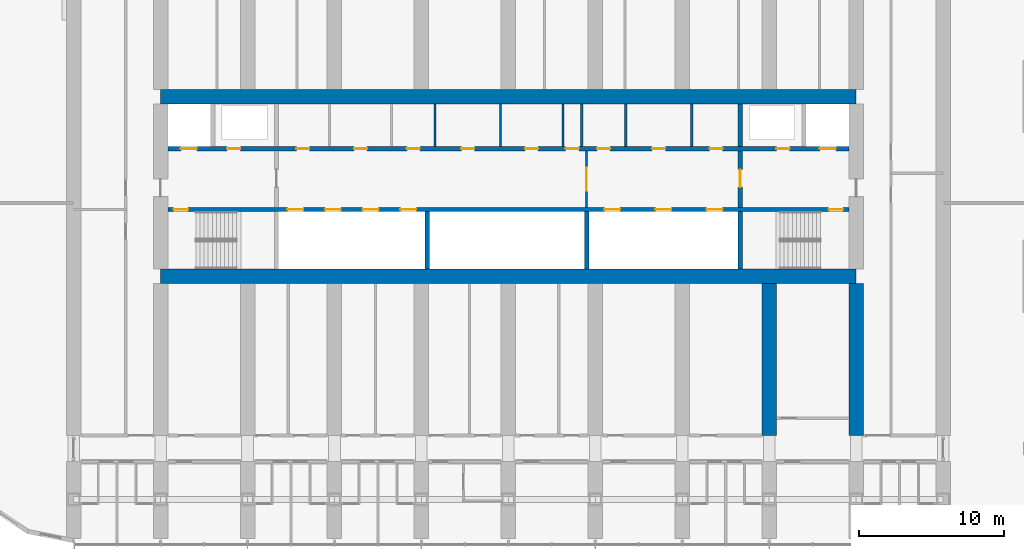
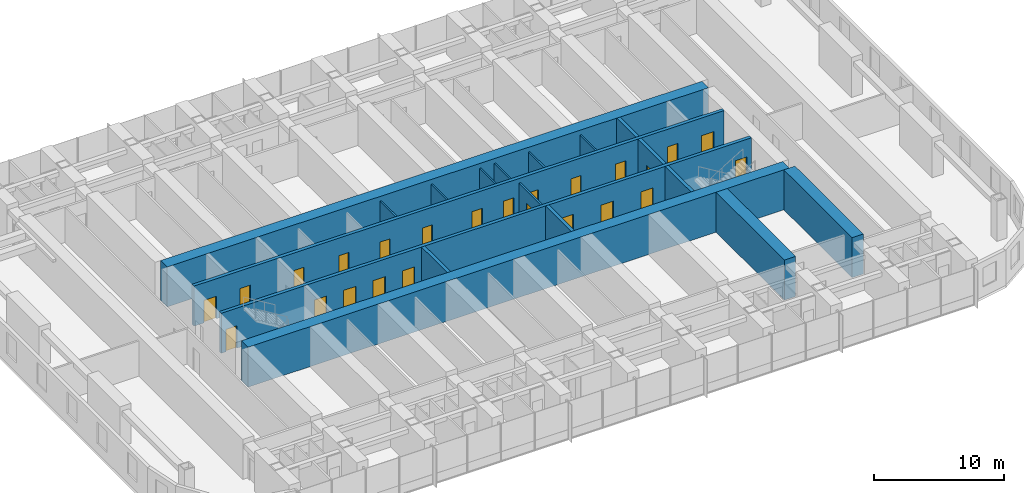
# One storey, part 13 of 23: 24 doors, 18 walls, 24 openings.
"""IFC4 building model written with IfcOpenShell, lengths in metres."""

from ifc_helpers import new_model, si_unit, direction, frame, frame_2d, origin, place, context, subcontext, project, spatial, rectangle, extrude, material, layer, layer_set, type_object, element, fill, save


model = new_model("IFC4")

# Units and contexts
model_context = context("Model", 3, precision=1e-05, world=origin(), true_north=direction((0.0, 1.0)))
body_context = subcontext(model_context, "Body", "Model", "MODEL_VIEW")
ifc_project = project(units=[si_unit("LENGTHUNIT", "METRE"), si_unit("AREAUNIT", "SQUARE_METRE"), si_unit("VOLUMEUNIT", "CUBIC_METRE"), si_unit("PLANEANGLEUNIT", "RADIAN"), si_unit("MASSUNIT", "GRAM", prefix="KILO")], contexts=[model_context])

# Site, building, storey
site_placement = place(None, origin())
site = spatial("IfcSite", under=ifc_project, at=site_placement, CompositionType="ELEMENT")
building_placement = place(site_placement, origin())
building = spatial("IfcBuilding", under=site, at=building_placement, Name="Orbita Commons", CompositionType="ELEMENT")
storey_placement = place(building_placement, frame((0.0, 0.0, 50.199951171875)))
storey = spatial("IfcBuildingStorey", under=building, at=storey_placement, Name="L12", CompositionType="ELEMENT", Elevation=50.199951171875)

# Wall, openings, doors
ifc_material_1 = material(Name="Concrete C50/60", Category="concrete")
ifc_layer_1 = layer(ifc_material_1, 0.300048828125)
ifc_layer_set_1 = layer_set([ifc_layer_1], Name="Concrete C50/60")
wall_type_1 = type_object("IfcWallType", Name="Core inner wall 300 C50/60", PredefinedType="SHEAR", material=ifc_layer_set_1)
wall_1_placement = place(storey_placement, frame((18.5, 30.39990234375, 0.0), z_axis=(0.0, 0.0, 1.0), x_axis=(1.0, 0.0, 0.0)))
wall_1 = element("IfcWall", 1, at=wall_1_placement, inside=storey, type_object=wall_type_1, Name="Lobby wall south L12", PredefinedType="SHEAR", context=body_context, shape_type="SweptSolid", body=[
    extrude(rectangle(XDim=47.0, YDim=0.300048828125, at=frame_2d((23.5, 0.0))), origin(), (0.0, 0.0, 1.0), 3.75),
])
opening_1_placement = place(wall_1_placement, frame((0.39990234375, 0.0, 0.0)))
opening_1 = element("IfcOpeningElement", 2, at=opening_1_placement, cuts=wall_1, Name="Opening D02", PredefinedType="OPENING", context=body_context, shape_type="SweptSolid", body=[
    extrude(rectangle(XDim=1.0, YDim=2.10009765625, at=frame_2d((0.5, 1.050048828125))), frame((0.0, 0.159912109375, 0.0), z_axis=(0.0, -1.0, 0.0), x_axis=(1.0, 0.0, 0.0)), (0.0, 0.0, 1.0), 0.320068359375),
])
opening_2_placement = place(wall_1_placement, frame((45.60009765625, 0.0, 0.0)))
opening_2 = element("IfcOpeningElement", 3, at=opening_2_placement, cuts=wall_1, Name="Opening D02", PredefinedType="OPENING", context=body_context, shape_type="SweptSolid", body=[
    extrude(rectangle(XDim=1.0, YDim=2.10009765625, at=frame_2d((0.5, 1.050048828125))), frame((0.0, 0.159912109375, 0.0), z_axis=(0.0, -1.0, 0.0), x_axis=(1.0, 0.0, 0.0)), (0.0, 0.0, 1.0), 0.320068359375),
])
opening_3_placement = place(wall_1_placement, frame((8.25, 0.0, 0.0)))
opening_3 = element("IfcOpeningElement", 4, at=opening_3_placement, cuts=wall_1, Name="Opening LD02", PredefinedType="OPENING", context=body_context, shape_type="SweptSolid", body=[
    extrude(rectangle(XDim=1.10009765625, YDim=2.10009765625, at=frame_2d((0.550048828125, 1.050048828125))), frame((0.0, 0.159912109375, 0.0), z_axis=(0.0, -1.0, 0.0), x_axis=(1.0, 0.0, 0.0)), (0.0, 0.0, 1.0), 0.320068359375),
])
opening_4_placement = place(wall_1_placement, frame((10.85009765625, 0.0, 0.0)))
opening_4 = element("IfcOpeningElement", 5, at=opening_4_placement, cuts=wall_1, Name="Opening LD02", PredefinedType="OPENING", context=body_context, shape_type="SweptSolid", body=[
    extrude(rectangle(XDim=1.10009765625, YDim=2.10009765625, at=frame_2d((0.550048828125, 1.050048828125))), frame((0.0, 0.159912109375, 0.0), z_axis=(0.0, -1.0, 0.0), x_axis=(1.0, 0.0, 0.0)), (0.0, 0.0, 1.0), 0.320068359375),
])
opening_5_placement = place(wall_1_placement, frame((13.449951171875, 0.0, 0.0)))
opening_5 = element("IfcOpeningElement", 6, at=opening_5_placement, cuts=wall_1, Name="Opening LD02", PredefinedType="OPENING", context=body_context, shape_type="SweptSolid", body=[
    extrude(rectangle(XDim=1.10009765625, YDim=2.10009765625, at=frame_2d((0.550048828125, 1.050048828125))), frame((0.0, 0.159912109375, 0.0), z_axis=(0.0, -1.0, 0.0), x_axis=(1.0, 0.0, 0.0)), (0.0, 0.0, 1.0), 0.320068359375),
])
opening_6_placement = place(wall_1_placement, frame((16.050048828125, 0.0, 0.0)))
opening_6 = element("IfcOpeningElement", 7, at=opening_6_placement, cuts=wall_1, Name="Opening LD02", PredefinedType="OPENING", context=body_context, shape_type="SweptSolid", body=[
    extrude(rectangle(XDim=1.10009765625, YDim=2.10009765625, at=frame_2d((0.550048828125, 1.050048828125))), frame((0.0, 0.159912109375, 0.0), z_axis=(0.0, -1.0, 0.0), x_axis=(1.0, 0.0, 0.0)), (0.0, 0.0, 1.0), 0.320068359375),
])
opening_7_placement = place(wall_1_placement, frame((30.11669921875, 0.0, 0.0)))
opening_7 = element("IfcOpeningElement", 8, at=opening_7_placement, cuts=wall_1, Name="Opening LD02", PredefinedType="OPENING", context=body_context, shape_type="SweptSolid", body=[
    extrude(rectangle(XDim=1.10009765625, YDim=2.10009765625, at=frame_2d((0.550048828125, 1.050048828125))), frame((0.0, 0.159912109375, 0.0), z_axis=(0.0, -1.0, 0.0), x_axis=(1.0, 0.0, 0.0)), (0.0, 0.0, 1.0), 0.320068359375),
])
opening_8_placement = place(wall_1_placement, frame((33.64990234375, 0.0, 0.0)))
opening_8 = element("IfcOpeningElement", 9, at=opening_8_placement, cuts=wall_1, Name="Opening LD02", PredefinedType="OPENING", context=body_context, shape_type="SweptSolid", body=[
    extrude(rectangle(XDim=1.10009765625, YDim=2.10009765625, at=frame_2d((0.550048828125, 1.050048828125))), frame((0.0, 0.159912109375, 0.0), z_axis=(0.0, -1.0, 0.0), x_axis=(1.0, 0.0, 0.0)), (0.0, 0.0, 1.0), 0.320068359375),
])
opening_9_placement = place(wall_1_placement, frame((37.183349609375, 0.0, 0.0)))
opening_9 = element("IfcOpeningElement", 10, at=opening_9_placement, cuts=wall_1, Name="Opening LD02", PredefinedType="OPENING", context=body_context, shape_type="SweptSolid", body=[
    extrude(rectangle(XDim=1.10009765625, YDim=2.10009765625, at=frame_2d((0.550048828125, 1.050048828125))), frame((0.0, 0.159912109375, 0.0), z_axis=(0.0, -1.0, 0.0), x_axis=(1.0, 0.0, 0.0)), (0.0, 0.0, 1.0), 0.320068359375),
])
ifc_material_2 = material(Name="Steel-faced fire door leaf", Category="steel")
door_type_1 = type_object("IfcDoorType", Name="Fire door 90 min 1000x2100", OperationType="SINGLE_SWING_LEFT", PredefinedType="DOOR", material=ifc_material_2)
door_1_placement = place(opening_1_placement, origin())
door_1 = element("IfcDoor", 11, at=door_1_placement, inside=storey, type_object=door_type_1, Name="Stair S1 door", OperationType="SINGLE_SWING_LEFT", OverallHeight=2.10009765625, OverallWidth=1.0, PredefinedType="DOOR", context=body_context, shape_type="SweptSolid", body=[
    extrude(rectangle(XDim=1.0, YDim=2.10009765625, at=frame_2d((0.5, 1.050048828125))), frame((0.0, 0.02490234375, 0.0), z_axis=(0.0, -1.0, 0.0), x_axis=(1.0, 0.0, 0.0)), (0.0, 0.0, 1.0), 0.050048828125),
])
fill(opening_1, door_1)
door_2_placement = place(opening_2_placement, origin())
door_2 = element("IfcDoor", 12, at=door_2_placement, inside=storey, type_object=door_type_1, Name="Stair S2 door", OperationType="SINGLE_SWING_LEFT", OverallHeight=2.10009765625, OverallWidth=1.0, PredefinedType="DOOR", context=body_context, shape_type="SweptSolid", body=[
    extrude(rectangle(XDim=1.0, YDim=2.10009765625, at=frame_2d((0.5, 1.050048828125))), frame((0.0, 0.02490234375, 0.0), z_axis=(0.0, -1.0, 0.0), x_axis=(1.0, 0.0, 0.0)), (0.0, 0.0, 1.0), 0.050048828125),
])
fill(opening_2, door_2)
ifc_material_3 = material(Name="Steel-faced fire door leaf", Category="steel")
door_type_2 = type_object("IfcDoorType", Name="Lift landing door 1100x2100", OperationType="DOUBLE_DOOR_SLIDING", PredefinedType="DOOR", material=ifc_material_3)
door_3_placement = place(opening_3_placement, origin())
door_3 = element("IfcDoor", 13, at=door_3_placement, inside=storey, type_object=door_type_2, Name="Lift P11 landing door", OperationType="DOUBLE_DOOR_SLIDING", OverallHeight=2.10009765625, OverallWidth=1.10009765625, PredefinedType="DOOR", context=body_context, shape_type="SweptSolid", body=[
    extrude(rectangle(XDim=1.10009765625, YDim=2.10009765625, at=frame_2d((0.550048828125, 1.050048828125))), frame((0.0, 0.02490234375, 0.0), z_axis=(0.0, -1.0, 0.0), x_axis=(1.0, 0.0, 0.0)), (0.0, 0.0, 1.0), 0.050048828125),
])
fill(opening_3, door_3)
door_4_placement = place(opening_4_placement, origin())
door_4 = element("IfcDoor", 14, at=door_4_placement, inside=storey, type_object=door_type_2, Name="Lift P12 landing door", OperationType="DOUBLE_DOOR_SLIDING", OverallHeight=2.10009765625, OverallWidth=1.10009765625, PredefinedType="DOOR", context=body_context, shape_type="SweptSolid", body=[
    extrude(rectangle(XDim=1.10009765625, YDim=2.10009765625, at=frame_2d((0.550048828125, 1.050048828125))), frame((0.0, 0.02490234375, 0.0), z_axis=(0.0, -1.0, 0.0), x_axis=(1.0, 0.0, 0.0)), (0.0, 0.0, 1.0), 0.050048828125),
])
fill(opening_4, door_4)
door_5_placement = place(opening_5_placement, origin())
door_5 = element("IfcDoor", 15, at=door_5_placement, inside=storey, type_object=door_type_2, Name="Lift P13 landing door", OperationType="DOUBLE_DOOR_SLIDING", OverallHeight=2.10009765625, OverallWidth=1.10009765625, PredefinedType="DOOR", context=body_context, shape_type="SweptSolid", body=[
    extrude(rectangle(XDim=1.10009765625, YDim=2.10009765625, at=frame_2d((0.550048828125, 1.050048828125))), frame((0.0, 0.02490234375, 0.0), z_axis=(0.0, -1.0, 0.0), x_axis=(1.0, 0.0, 0.0)), (0.0, 0.0, 1.0), 0.050048828125),
])
fill(opening_5, door_5)
door_6_placement = place(opening_6_placement, origin())
door_6 = element("IfcDoor", 16, at=door_6_placement, inside=storey, type_object=door_type_2, Name="Lift P14 landing door", OperationType="DOUBLE_DOOR_SLIDING", OverallHeight=2.10009765625, OverallWidth=1.10009765625, PredefinedType="DOOR", context=body_context, shape_type="SweptSolid", body=[
    extrude(rectangle(XDim=1.10009765625, YDim=2.10009765625, at=frame_2d((0.550048828125, 1.050048828125))), frame((0.0, 0.02490234375, 0.0), z_axis=(0.0, -1.0, 0.0), x_axis=(1.0, 0.0, 0.0)), (0.0, 0.0, 1.0), 0.050048828125),
])
fill(opening_6, door_6)
door_7_placement = place(opening_7_placement, origin())
door_7 = element("IfcDoor", 17, at=door_7_placement, inside=storey, type_object=door_type_2, Name="Lift SV1 landing door", OperationType="DOUBLE_DOOR_SLIDING", OverallHeight=2.10009765625, OverallWidth=1.10009765625, PredefinedType="DOOR", context=body_context, shape_type="SweptSolid", body=[
    extrude(rectangle(XDim=1.10009765625, YDim=2.10009765625, at=frame_2d((0.550048828125, 1.050048828125))), frame((0.0, 0.02490234375, 0.0), z_axis=(0.0, -1.0, 0.0), x_axis=(1.0, 0.0, 0.0)), (0.0, 0.0, 1.0), 0.050048828125),
])
fill(opening_7, door_7)
door_8_placement = place(opening_8_placement, origin())
door_8 = element("IfcDoor", 18, at=door_8_placement, inside=storey, type_object=door_type_2, Name="Lift SV2 landing door", OperationType="DOUBLE_DOOR_SLIDING", OverallHeight=2.10009765625, OverallWidth=1.10009765625, PredefinedType="DOOR", context=body_context, shape_type="SweptSolid", body=[
    extrude(rectangle(XDim=1.10009765625, YDim=2.10009765625, at=frame_2d((0.550048828125, 1.050048828125))), frame((0.0, 0.02490234375, 0.0), z_axis=(0.0, -1.0, 0.0), x_axis=(1.0, 0.0, 0.0)), (0.0, 0.0, 1.0), 0.050048828125),
])
fill(opening_8, door_8)
door_9_placement = place(opening_9_placement, origin())
door_9 = element("IfcDoor", 19, at=door_9_placement, inside=storey, type_object=door_type_2, Name="Lift SV3 landing door", OperationType="DOUBLE_DOOR_SLIDING", OverallHeight=2.10009765625, OverallWidth=1.10009765625, PredefinedType="DOOR", context=body_context, shape_type="SweptSolid", body=[
    extrude(rectangle(XDim=1.10009765625, YDim=2.10009765625, at=frame_2d((0.550048828125, 1.050048828125))), frame((0.0, 0.02490234375, 0.0), z_axis=(0.0, -1.0, 0.0), x_axis=(1.0, 0.0, 0.0)), (0.0, 0.0, 1.0), 0.050048828125),
])
fill(opening_9, door_9)

wall_2_placement = place(storey_placement, frame((18.5, 34.60009765625, 0.0), z_axis=(0.0, 0.0, 1.0), x_axis=(1.0, 0.0, 0.0)))
wall_2 = element("IfcWall", 20, at=wall_2_placement, inside=storey, type_object=wall_type_1, Name="Lobby wall north L12", PredefinedType="SHEAR", context=body_context, shape_type="SweptSolid", body=[
    extrude(rectangle(XDim=47.0, YDim=0.300048828125, at=frame_2d((23.5, 0.0))), origin(), (0.0, 0.0, 1.0), 3.75),
])
opening_10_placement = place(wall_2_placement, frame((0.89990234375, 0.0, 0.0)))
opening_10 = element("IfcOpeningElement", 21, at=opening_10_placement, cuts=wall_2, Name="Opening LD01", PredefinedType="OPENING", context=body_context, shape_type="SweptSolid", body=[
    extrude(rectangle(XDim=1.10009765625, YDim=2.10009765625, at=frame_2d((0.550048828125, 1.050048828125))), frame((0.0, 0.159912109375, 0.0), z_axis=(0.0, -1.0, 0.0), x_axis=(1.0, 0.0, 0.0)), (0.0, 0.0, 1.0), 0.320068359375),
])
opening_11_placement = place(wall_2_placement, frame((45.0, 0.0, 0.0)))
opening_11 = element("IfcOpeningElement", 22, at=opening_11_placement, cuts=wall_2, Name="Opening LD01", PredefinedType="OPENING", context=body_context, shape_type="SweptSolid", body=[
    extrude(rectangle(XDim=1.10009765625, YDim=2.10009765625, at=frame_2d((0.550048828125, 1.050048828125))), frame((0.0, 0.159912109375, 0.0), z_axis=(0.0, -1.0, 0.0), x_axis=(1.0, 0.0, 0.0)), (0.0, 0.0, 1.0), 0.320068359375),
])
opening_12_placement = place(wall_2_placement, frame((4.10009765625, 0.0, 0.0)))
opening_12 = element("IfcOpeningElement", 23, at=opening_12_placement, cuts=wall_2, Name="Opening D03", PredefinedType="OPENING", context=body_context, shape_type="SweptSolid", body=[
    extrude(rectangle(XDim=0.89990234375, YDim=2.10009765625, at=frame_2d((0.449951171875, 1.050048828125))), frame((0.0, 0.159912109375, 0.0), z_axis=(0.0, -1.0, 0.0), x_axis=(1.0, 0.0, 0.0)), (0.0, 0.0, 1.0), 0.320068359375),
])
opening_13_placement = place(wall_2_placement, frame((42.0, 0.0, 0.0)))
opening_13 = element("IfcOpeningElement", 24, at=opening_13_placement, cuts=wall_2, Name="Opening D03", PredefinedType="OPENING", context=body_context, shape_type="SweptSolid", body=[
    extrude(rectangle(XDim=0.89990234375, YDim=2.10009765625, at=frame_2d((0.449951171875, 1.050048828125))), frame((0.0, 0.159912109375, 0.0), z_axis=(0.0, -1.0, 0.0), x_axis=(1.0, 0.0, 0.0)), (0.0, 0.0, 1.0), 0.320068359375),
])
opening_14_placement = place(wall_2_placement, frame((8.87548828125, 0.0, 0.0)))
opening_14 = element("IfcOpeningElement", 25, at=opening_14_placement, cuts=wall_2, Name="Opening D03", PredefinedType="OPENING", context=body_context, shape_type="SweptSolid", body=[
    extrude(rectangle(XDim=0.89990234375, YDim=2.10009765625, at=frame_2d((0.449951171875, 1.050048828125))), frame((0.0, 0.159912109375, 0.0), z_axis=(0.0, -1.0, 0.0), x_axis=(1.0, 0.0, 0.0)), (0.0, 0.0, 1.0), 0.320068359375),
])
opening_15_placement = place(wall_2_placement, frame((12.8486328125, 0.0, 0.0)))
opening_15 = element("IfcOpeningElement", 26, at=opening_15_placement, cuts=wall_2, Name="Opening D03", PredefinedType="OPENING", context=body_context, shape_type="SweptSolid", body=[
    extrude(rectangle(XDim=0.89990234375, YDim=2.10009765625, at=frame_2d((0.449951171875, 1.050048828125))), frame((0.0, 0.159912109375, 0.0), z_axis=(0.0, -1.0, 0.0), x_axis=(1.0, 0.0, 0.0)), (0.0, 0.0, 1.0), 0.320068359375),
])
opening_16_placement = place(wall_2_placement, frame((16.496337890625, 0.0, 0.0)))
opening_16 = element("IfcOpeningElement", 27, at=opening_16_placement, cuts=wall_2, Name="Opening D03", PredefinedType="OPENING", context=body_context, shape_type="SweptSolid", body=[
    extrude(rectangle(XDim=0.89990234375, YDim=2.10009765625, at=frame_2d((0.449951171875, 1.050048828125))), frame((0.0, 0.159912109375, 0.0), z_axis=(0.0, -1.0, 0.0), x_axis=(1.0, 0.0, 0.0)), (0.0, 0.0, 1.0), 0.320068359375),
])
opening_17_placement = place(wall_2_placement, frame((20.254638671875, 0.0, 0.0)))
opening_17 = element("IfcOpeningElement", 28, at=opening_17_placement, cuts=wall_2, Name="Opening D05", PredefinedType="OPENING", context=body_context, shape_type="SweptSolid", body=[
    extrude(rectangle(XDim=0.89990234375, YDim=2.10009765625, at=frame_2d((0.449951171875, 1.050048828125))), frame((0.0, 0.159912109375, 0.0), z_axis=(0.0, -1.0, 0.0), x_axis=(1.0, 0.0, 0.0)), (0.0, 0.0, 1.0), 0.320068359375),
])
opening_18_placement = place(wall_2_placement, frame((24.66064453125, 0.0, 0.0)))
opening_18 = element("IfcOpeningElement", 29, at=opening_18_placement, cuts=wall_2, Name="Opening D03", PredefinedType="OPENING", context=body_context, shape_type="SweptSolid", body=[
    extrude(rectangle(XDim=0.89990234375, YDim=2.10009765625, at=frame_2d((0.449951171875, 1.050048828125))), frame((0.0, 0.159912109375, 0.0), z_axis=(0.0, -1.0, 0.0), x_axis=(1.0, 0.0, 0.0)), (0.0, 0.0, 1.0), 0.320068359375),
])
opening_19_placement = place(wall_2_placement, frame((27.45849609375, 0.0, 0.0)))
opening_19 = element("IfcOpeningElement", 30, at=opening_19_placement, cuts=wall_2, Name="Opening D03", PredefinedType="OPENING", context=body_context, shape_type="SweptSolid", body=[
    extrude(rectangle(XDim=0.89990234375, YDim=2.10009765625, at=frame_2d((0.449951171875, 1.050048828125))), frame((0.0, 0.159912109375, 0.0), z_axis=(0.0, -1.0, 0.0), x_axis=(1.0, 0.0, 0.0)), (0.0, 0.0, 1.0), 0.320068359375),
])
opening_20_placement = place(wall_2_placement, frame((29.628173828125, 0.0, 0.0)))
opening_20 = element("IfcOpeningElement", 31, at=opening_20_placement, cuts=wall_2, Name="Opening D05", PredefinedType="OPENING", context=body_context, shape_type="SweptSolid", body=[
    extrude(rectangle(XDim=0.89990234375, YDim=2.10009765625, at=frame_2d((0.449951171875, 1.050048828125))), frame((0.0, 0.159912109375, 0.0), z_axis=(0.0, -1.0, 0.0), x_axis=(1.0, 0.0, 0.0)), (0.0, 0.0, 1.0), 0.320068359375),
])
opening_21_placement = place(wall_2_placement, frame((33.42724609375, 0.0, 0.0)))
opening_21 = element("IfcOpeningElement", 32, at=opening_21_placement, cuts=wall_2, Name="Opening D05", PredefinedType="OPENING", context=body_context, shape_type="SweptSolid", body=[
    extrude(rectangle(XDim=0.89990234375, YDim=2.10009765625, at=frame_2d((0.449951171875, 1.050048828125))), frame((0.0, 0.159912109375, 0.0), z_axis=(0.0, -1.0, 0.0), x_axis=(1.0, 0.0, 0.0)), (0.0, 0.0, 1.0), 0.320068359375),
])
opening_22_placement = place(wall_2_placement, frame((37.37841796875, 0.0, 0.0)))
opening_22 = element("IfcOpeningElement", 33, at=opening_22_placement, cuts=wall_2, Name="Opening D03", PredefinedType="OPENING", context=body_context, shape_type="SweptSolid", body=[
    extrude(rectangle(XDim=0.89990234375, YDim=2.10009765625, at=frame_2d((0.449951171875, 1.050048828125))), frame((0.0, 0.159912109375, 0.0), z_axis=(0.0, -1.0, 0.0), x_axis=(1.0, 0.0, 0.0)), (0.0, 0.0, 1.0), 0.320068359375),
])
ifc_material_4 = material(Name="Steel-faced fire door leaf", Category="steel")
door_type_3 = type_object("IfcDoorType", Name="Firefighting lift landing door 1100x2100", OperationType="DOUBLE_DOOR_SLIDING", PredefinedType="DOOR", material=ifc_material_4)
door_10_placement = place(opening_10_placement, origin())
door_10 = element("IfcDoor", 34, at=door_10_placement, inside=storey, type_object=door_type_3, Name="Firefighting lift FL1 landing door", OperationType="DOUBLE_DOOR_SLIDING", OverallHeight=2.10009765625, OverallWidth=1.10009765625, PredefinedType="DOOR", context=body_context, shape_type="SweptSolid", body=[
    extrude(rectangle(XDim=1.10009765625, YDim=2.10009765625, at=frame_2d((0.550048828125, 1.050048828125))), frame((0.0, 0.02490234375, 0.0), z_axis=(0.0, -1.0, 0.0), x_axis=(1.0, 0.0, 0.0)), (0.0, 0.0, 1.0), 0.050048828125),
])
fill(opening_10, door_10)
door_11_placement = place(opening_11_placement, origin())
door_11 = element("IfcDoor", 35, at=door_11_placement, inside=storey, type_object=door_type_3, Name="Firefighting lift FL2 landing door", OperationType="DOUBLE_DOOR_SLIDING", OverallHeight=2.10009765625, OverallWidth=1.10009765625, PredefinedType="DOOR", context=body_context, shape_type="SweptSolid", body=[
    extrude(rectangle(XDim=1.10009765625, YDim=2.10009765625, at=frame_2d((0.550048828125, 1.050048828125))), frame((0.0, 0.02490234375, 0.0), z_axis=(0.0, -1.0, 0.0), x_axis=(1.0, 0.0, 0.0)), (0.0, 0.0, 1.0), 0.050048828125),
])
fill(opening_11, door_11)
ifc_material_5 = material(Name="Steel-faced fire door leaf", Category="steel")
door_type_4 = type_object("IfcDoorType", Name="Service door 20 min 900x2100", OperationType="SINGLE_SWING_LEFT", PredefinedType="DOOR", material=ifc_material_5)
door_12_placement = place(opening_17_placement, origin())
door_12 = element("IfcDoor", 36, at=door_12_placement, inside=storey, type_object=door_type_4, Name="Accessible WC door", OperationType="SINGLE_SWING_LEFT", OverallHeight=2.10009765625, OverallWidth=0.89990234375, PredefinedType="DOOR", context=body_context, shape_type="SweptSolid", body=[
    extrude(rectangle(XDim=0.89990234375, YDim=2.10009765625, at=frame_2d((0.449951171875, 1.050048828125))), frame((0.0, 0.02490234375, 0.0), z_axis=(0.0, -1.0, 0.0), x_axis=(1.0, 0.0, 0.0)), (0.0, 0.0, 1.0), 0.050048828125),
])
fill(opening_17, door_12)
door_13_placement = place(opening_20_placement, origin())
door_13 = element("IfcDoor", 37, at=door_13_placement, inside=storey, type_object=door_type_4, Name="Staff WC door", OperationType="SINGLE_SWING_LEFT", OverallHeight=2.10009765625, OverallWidth=0.89990234375, PredefinedType="DOOR", context=body_context, shape_type="SweptSolid", body=[
    extrude(rectangle(XDim=0.89990234375, YDim=2.10009765625, at=frame_2d((0.449951171875, 1.050048828125))), frame((0.0, 0.02490234375, 0.0), z_axis=(0.0, -1.0, 0.0), x_axis=(1.0, 0.0, 0.0)), (0.0, 0.0, 1.0), 0.050048828125),
])
fill(opening_20, door_13)
door_14_placement = place(opening_21_placement, origin())
door_14 = element("IfcDoor", 38, at=door_14_placement, inside=storey, type_object=door_type_4, Name="Vending and ice room door", OperationType="SINGLE_SWING_LEFT", OverallHeight=2.10009765625, OverallWidth=0.89990234375, PredefinedType="DOOR", context=body_context, shape_type="SweptSolid", body=[
    extrude(rectangle(XDim=0.89990234375, YDim=2.10009765625, at=frame_2d((0.449951171875, 1.050048828125))), frame((0.0, 0.02490234375, 0.0), z_axis=(0.0, -1.0, 0.0), x_axis=(1.0, 0.0, 0.0)), (0.0, 0.0, 1.0), 0.050048828125),
])
fill(opening_21, door_14)
ifc_material_6 = material(Name="Steel-faced fire door leaf", Category="steel")
door_type_5 = type_object("IfcDoorType", Name="Shaft access door 90 min 900x2100", OperationType="SINGLE_SWING_LEFT", PredefinedType="DOOR", material=ifc_material_6)
door_15_placement = place(opening_12_placement, origin())
door_15 = element("IfcDoor", 39, at=door_15_placement, inside=storey, type_object=door_type_5, Name="Riser door west", OperationType="SINGLE_SWING_LEFT", OverallHeight=2.10009765625, OverallWidth=0.89990234375, PredefinedType="DOOR", context=body_context, shape_type="SweptSolid", body=[
    extrude(rectangle(XDim=0.89990234375, YDim=2.10009765625, at=frame_2d((0.449951171875, 1.050048828125))), frame((0.0, 0.02490234375, 0.0), z_axis=(0.0, -1.0, 0.0), x_axis=(1.0, 0.0, 0.0)), (0.0, 0.0, 1.0), 0.050048828125),
])
fill(opening_12, door_15)
door_16_placement = place(opening_13_placement, origin())
door_16 = element("IfcDoor", 40, at=door_16_placement, inside=storey, type_object=door_type_5, Name="Riser door east", OperationType="SINGLE_SWING_LEFT", OverallHeight=2.10009765625, OverallWidth=0.89990234375, PredefinedType="DOOR", context=body_context, shape_type="SweptSolid", body=[
    extrude(rectangle(XDim=0.89990234375, YDim=2.10009765625, at=frame_2d((0.449951171875, 1.050048828125))), frame((0.0, 0.02490234375, 0.0), z_axis=(0.0, -1.0, 0.0), x_axis=(1.0, 0.0, 0.0)), (0.0, 0.0, 1.0), 0.050048828125),
])
fill(opening_13, door_16)
door_17_placement = place(opening_14_placement, origin())
door_17 = element("IfcDoor", 41, at=door_17_placement, inside=storey, type_object=door_type_5, Name="Cleaners store door", OperationType="SINGLE_SWING_LEFT", OverallHeight=2.10009765625, OverallWidth=0.89990234375, PredefinedType="DOOR", context=body_context, shape_type="SweptSolid", body=[
    extrude(rectangle(XDim=0.89990234375, YDim=2.10009765625, at=frame_2d((0.449951171875, 1.050048828125))), frame((0.0, 0.02490234375, 0.0), z_axis=(0.0, -1.0, 0.0), x_axis=(1.0, 0.0, 0.0)), (0.0, 0.0, 1.0), 0.050048828125),
])
fill(opening_14, door_17)
door_18_placement = place(opening_15_placement, origin())
door_18 = element("IfcDoor", 42, at=door_18_placement, inside=storey, type_object=door_type_5, Name="Refuse chute room door", OperationType="SINGLE_SWING_LEFT", OverallHeight=2.10009765625, OverallWidth=0.89990234375, PredefinedType="DOOR", context=body_context, shape_type="SweptSolid", body=[
    extrude(rectangle(XDim=0.89990234375, YDim=2.10009765625, at=frame_2d((0.449951171875, 1.050048828125))), frame((0.0, 0.02490234375, 0.0), z_axis=(0.0, -1.0, 0.0), x_axis=(1.0, 0.0, 0.0)), (0.0, 0.0, 1.0), 0.050048828125),
])
fill(opening_15, door_18)
door_19_placement = place(opening_16_placement, origin())
door_19 = element("IfcDoor", 43, at=door_19_placement, inside=storey, type_object=door_type_5, Name="Electrical riser room door", OperationType="SINGLE_SWING_LEFT", OverallHeight=2.10009765625, OverallWidth=0.89990234375, PredefinedType="DOOR", context=body_context, shape_type="SweptSolid", body=[
    extrude(rectangle(XDim=0.89990234375, YDim=2.10009765625, at=frame_2d((0.449951171875, 1.050048828125))), frame((0.0, 0.02490234375, 0.0), z_axis=(0.0, -1.0, 0.0), x_axis=(1.0, 0.0, 0.0)), (0.0, 0.0, 1.0), 0.050048828125),
])
fill(opening_16, door_19)
door_20_placement = place(opening_18_placement, origin())
door_20 = element("IfcDoor", 44, at=door_20_placement, inside=storey, type_object=door_type_5, Name="Communications room door", OperationType="SINGLE_SWING_LEFT", OverallHeight=2.10009765625, OverallWidth=0.89990234375, PredefinedType="DOOR", context=body_context, shape_type="SweptSolid", body=[
    extrude(rectangle(XDim=0.89990234375, YDim=2.10009765625, at=frame_2d((0.449951171875, 1.050048828125))), frame((0.0, 0.02490234375, 0.0), z_axis=(0.0, -1.0, 0.0), x_axis=(1.0, 0.0, 0.0)), (0.0, 0.0, 1.0), 0.050048828125),
])
fill(opening_18, door_20)
door_21_placement = place(opening_19_placement, origin())
door_21 = element("IfcDoor", 45, at=door_21_placement, inside=storey, type_object=door_type_5, Name="Stair pressurisation duct door", OperationType="SINGLE_SWING_LEFT", OverallHeight=2.10009765625, OverallWidth=0.89990234375, PredefinedType="DOOR", context=body_context, shape_type="SweptSolid", body=[
    extrude(rectangle(XDim=0.89990234375, YDim=2.10009765625, at=frame_2d((0.449951171875, 1.050048828125))), frame((0.0, 0.02490234375, 0.0), z_axis=(0.0, -1.0, 0.0), x_axis=(1.0, 0.0, 0.0)), (0.0, 0.0, 1.0), 0.050048828125),
])
fill(opening_19, door_21)
door_22_placement = place(opening_22_placement, origin())
door_22 = element("IfcDoor", 46, at=door_22_placement, inside=storey, type_object=door_type_5, Name="Housekeeping store door", OperationType="SINGLE_SWING_LEFT", OverallHeight=2.10009765625, OverallWidth=0.89990234375, PredefinedType="DOOR", context=body_context, shape_type="SweptSolid", body=[
    extrude(rectangle(XDim=0.89990234375, YDim=2.10009765625, at=frame_2d((0.449951171875, 1.050048828125))), frame((0.0, 0.02490234375, 0.0), z_axis=(0.0, -1.0, 0.0), x_axis=(1.0, 0.0, 0.0)), (0.0, 0.0, 1.0), 0.050048828125),
])
fill(opening_22, door_22)

# Wall
wall_3_placement = place(storey_placement, frame((58.0, 26.300048828125, 0.0), z_axis=(0.0, 0.0, 1.0), x_axis=(0.0, 1.0, 0.0)))
element("IfcWall", 47, at=wall_3_placement, inside=storey, type_object=wall_type_1, Name="Stair S2 wall L12", PredefinedType="SHEAR", context=body_context, shape_type="SweptSolid", body=[
    extrude(rectangle(XDim=3.949951171875, YDim=0.300048828125, at=frame_2d((1.97509765625, 0.0))), origin(), (0.0, 0.0, 1.0), 3.75),
])

# Wall, opening, door
wall_4_placement = place(storey_placement, frame((58.0, 30.550048828125, 0.0), z_axis=(0.0, 0.0, 1.0), x_axis=(0.0, 1.0, 0.0)))
wall_4 = element("IfcWall", 48, at=wall_4_placement, inside=storey, type_object=wall_type_1, Name="Firefighting lobby wall east L12", PredefinedType="SHEAR", context=body_context, shape_type="SweptSolid", body=[
    extrude(rectangle(XDim=3.89990234375, YDim=0.300048828125, at=frame_2d((1.949951171875, 0.0))), origin(), (0.0, 0.0, 1.0), 3.75),
])
opening_23_placement = place(wall_4_placement, frame((1.39990234375, 0.0, 0.0)))
opening_23 = element("IfcOpeningElement", 49, at=opening_23_placement, cuts=wall_4, Name="Opening D04", PredefinedType="OPENING", context=body_context, shape_type="SweptSolid", body=[
    extrude(rectangle(XDim=1.199951171875, YDim=2.10009765625, at=frame_2d((0.60009765625, 1.050048828125))), frame((0.0, 0.159912109375, 0.0), z_axis=(0.0, -1.0, 0.0), x_axis=(1.0, 0.0, 0.0)), (0.0, 0.0, 1.0), 0.320068359375),
])
ifc_material_7 = material(Name="Steel-faced fire door leaf", Category="steel")
door_type_6 = type_object("IfcDoorType", Name="Service door 20 min 1200x2100", OperationType="SINGLE_SWING_LEFT", PredefinedType="DOOR", material=ifc_material_7)
door_23_placement = place(opening_23_placement, origin())
door_23 = element("IfcDoor", 50, at=door_23_placement, inside=storey, type_object=door_type_6, Name="Lift lobby door east", OperationType="SINGLE_SWING_LEFT", OverallHeight=2.10009765625, OverallWidth=1.199951171875, PredefinedType="DOOR", context=body_context, shape_type="SweptSolid", body=[
    extrude(rectangle(XDim=1.199951171875, YDim=2.10009765625, at=frame_2d((0.60009765625, 1.050048828125))), frame((0.0, 0.02490234375, 0.0), z_axis=(0.0, -1.0, 0.0), x_axis=(1.0, 0.0, 0.0)), (0.0, 0.0, 1.0), 0.050048828125),
])
fill(opening_23, door_23)

# Walls
wall_5_placement = place(storey_placement, frame((58.0, 34.75, 0.0), z_axis=(0.0, 0.0, 1.0), x_axis=(0.0, 1.0, 0.0)))
element("IfcWall", 51, at=wall_5_placement, inside=storey, type_object=wall_type_1, Name="Riser wall east L12", PredefinedType="SHEAR", context=body_context, shape_type="SweptSolid", body=[
    extrude(rectangle(XDim=2.949951171875, YDim=0.300048828125, at=frame_2d((1.47509765625, 0.0))), origin(), (0.0, 0.0, 1.0), 3.75),
])
for number, where, z_axis, x_axis, name in (
    (52, (36.39990234375, 26.300048828125, 0.0), (0.0, 0.0, 1.0), (0.0, 1.0, 0.0), "Hoistway division wall L12"),
    (53, (47.39990234375, 26.300048828125, 0.0), (0.0, 0.0, 1.0), (0.0, 1.0, 0.0), "Hoistway division wall L12"),
):
    element("IfcWall", number, at=place(storey_placement, frame(where, z_axis=z_axis, x_axis=x_axis)), inside=storey, type_object=wall_type_1, Name=name, PredefinedType="SHEAR", context=body_context, shape_type="SweptSolid", body=[
        extrude(rectangle(XDim=3.949951171875, YDim=0.300048828125, at=frame_2d((1.97509765625, 0.0))), origin(), (0.0, 0.0, 1.0), 3.75),
    ])

# Wall, opening, door
ifc_material_8 = material(Name="Concrete blockwork", Category="masonry")
ifc_layer_2 = layer(ifc_material_8, 0.14990234375)
ifc_layer_set_2 = layer_set([ifc_layer_2], Name="Concrete blockwork")
wall_type_2 = type_object("IfcWallType", Name="Core partition 150 blockwork", PredefinedType="SOLIDWALL", material=ifc_layer_set_2)
wall_6_placement = place(storey_placement, frame((47.39990234375, 30.550048828125, 0.0), z_axis=(0.0, 0.0, 1.0), x_axis=(0.0, 1.0, 0.0)))
wall_6 = element("IfcWall", 54, at=wall_6_placement, inside=storey, type_object=wall_type_2, Name="Core partition 150 blockwork L12", PredefinedType="SOLIDWALL", context=body_context, shape_type="SweptSolid", body=[
    extrude(rectangle(XDim=3.89990234375, YDim=0.14990234375, at=frame_2d((1.949951171875, 0.0))), origin(), (0.0, 0.0, 1.0), 3.300048828125),
])
opening_24_placement = place(wall_6_placement, frame((1.14990234375, 0.0, 0.0)))
opening_24 = element("IfcOpeningElement", 55, at=opening_24_placement, cuts=wall_6, Name="Opening D10", PredefinedType="OPENING", context=body_context, shape_type="SweptSolid", body=[
    extrude(rectangle(XDim=1.60009765625, YDim=2.10009765625, at=frame_2d((0.800048828125, 1.050048828125))), frame((0.0, 0.0849609375, 0.0), z_axis=(0.0, -1.0, 0.0), x_axis=(1.0, 0.0, 0.0)), (0.0, 0.0, 1.0), 0.169921875),
])
ifc_material_9 = material(Name="Steel-faced fire door leaf", Category="steel")
door_type_7 = type_object("IfcDoorType", Name="Double corridor door 20 min 1600x2100", OperationType="DOUBLE_DOOR_SINGLE_SWING", PredefinedType="DOOR", material=ifc_material_9)
door_24_placement = place(opening_24_placement, origin())
door_24 = element("IfcDoor", 56, at=door_24_placement, inside=storey, type_object=door_type_7, Name="Lift lobby screen doors", OperationType="DOUBLE_DOOR_SINGLE_SWING", OverallHeight=2.10009765625, OverallWidth=1.60009765625, PredefinedType="DOOR", context=body_context, shape_type="SweptSolid", body=[
    extrude(rectangle(XDim=1.60009765625, YDim=2.10009765625, at=frame_2d((0.800048828125, 1.050048828125))), frame((0.0, 0.02490234375, 0.0), z_axis=(0.0, -1.0, 0.0), x_axis=(1.0, 0.0, 0.0)), (0.0, 0.0, 1.0), 0.050048828125),
])
fill(opening_24, door_24)

# Walls
for number, where, z_axis, x_axis, name in (
    (57, (36.9462890625, 34.75, 0.0), (0.0, 0.0, 1.0), (0.0, 1.0, 0.0), "Core partition 150 blockwork L12"),
    (58, (41.463134765625, 34.75, 0.0), (0.0, 0.0, 1.0), (0.0, 1.0, 0.0), "Core partition 150 blockwork L12"),
    (59, (45.75830078125, 34.75, 0.0), (0.0, 0.0, 1.0), (0.0, 1.0, 0.0), "Core partition 150 blockwork L12"),
    (60, (47.058349609375, 34.75, 0.0), (0.0, 0.0, 1.0), (0.0, 1.0, 0.0), "Core partition 150 blockwork L12"),
    (61, (50.09765625, 34.75, 0.0), (0.0, 0.0, 1.0), (0.0, 1.0, 0.0), "Core partition 150 blockwork L12"),
    (62, (54.65673828125, 34.75, 0.0), (0.0, 0.0, 1.0), (0.0, 1.0, 0.0), "Core partition 150 blockwork L12"),
):
    element("IfcWall", number, at=place(storey_placement, frame(where, z_axis=z_axis, x_axis=x_axis)), inside=storey, type_object=wall_type_2, Name=name, PredefinedType="SOLIDWALL", context=body_context, shape_type="SweptSolid", body=[
        extrude(rectangle(XDim=2.949951171875, YDim=0.14990234375, at=frame_2d((1.47509765625, 0.0))), origin(), (0.0, 0.0, 1.0), 3.300048828125),
    ])
ifc_material_10 = material(Name="Concrete C50/60", Category="concrete")
ifc_layer_3 = layer(ifc_material_10, 1.0)
ifc_layer_set_3 = layer_set([ifc_layer_3], Name="Concrete C50/60")
wall_type_3 = type_object("IfcWallType", Name="Core wall 1000 C50/60", PredefinedType="SHEAR", material=ifc_layer_set_3)
for number, where, z_axis, x_axis, name in (
    (63, (18.0, 25.800048828125, 0.0), (0.0, 0.0, 1.0), (1.0, 0.0, 0.0), "Core spine wall south L12"),
    (64, (18.0, 38.199951171875, 0.0), (0.0, 0.0, 1.0), (1.0, 0.0, 0.0), "Core spine wall north L12"),
):
    element("IfcWall", number, at=place(storey_placement, frame(where, z_axis=z_axis, x_axis=x_axis)), inside=storey, type_object=wall_type_3, Name=name, PredefinedType="SHEAR", context=body_context, shape_type="SweptSolid", body=[
        extrude(rectangle(XDim=48.0, YDim=1.0, at=frame_2d((24.0, 0.0))), origin(), (0.0, 0.0, 1.0), 3.75),
    ])
ifc_material_11 = material(Name="Concrete C50/60", Category="concrete")
ifc_layer_4 = layer(ifc_material_11, 1.0)
ifc_layer_set_4 = layer_set([ifc_layer_4], Name="Concrete C50/60")
wall_type_4 = type_object("IfcWallType", Name="Cross wall 1000 C50/60", PredefinedType="SHEAR", material=ifc_layer_set_4)
for number, where, z_axis, x_axis, name in (
    (65, (60.0, 14.800048828125, 0.0), (0.0, 0.0, 1.0), (0.0, 1.0, 0.0), "Cross wall 11 south inner L12"),
    (66, (66.0, 14.800048828125, 0.0), (0.0, 0.0, 1.0), (0.0, 1.0, 0.0), "Cross wall 12 south inner L12"),
):
    element("IfcWall", number, at=place(storey_placement, frame(where, z_axis=z_axis, x_axis=x_axis)), inside=storey, type_object=wall_type_4, Name=name, PredefinedType="SHEAR", context=body_context, shape_type="SweptSolid", body=[
        extrude(rectangle(XDim=10.5, YDim=1.0, at=frame_2d((5.25, 0.0))), origin(), (0.0, 0.0, 1.0), 3.75),
    ])

save(model, "model.ifc")
